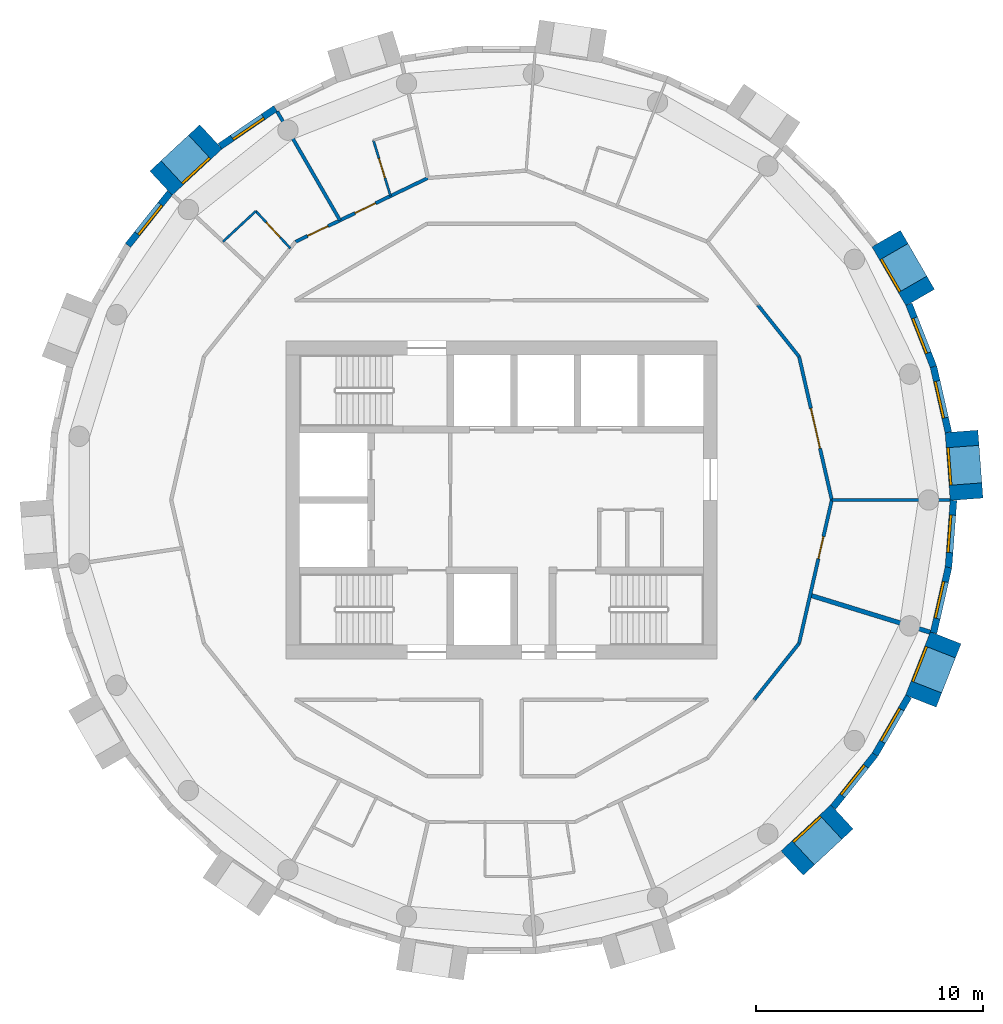
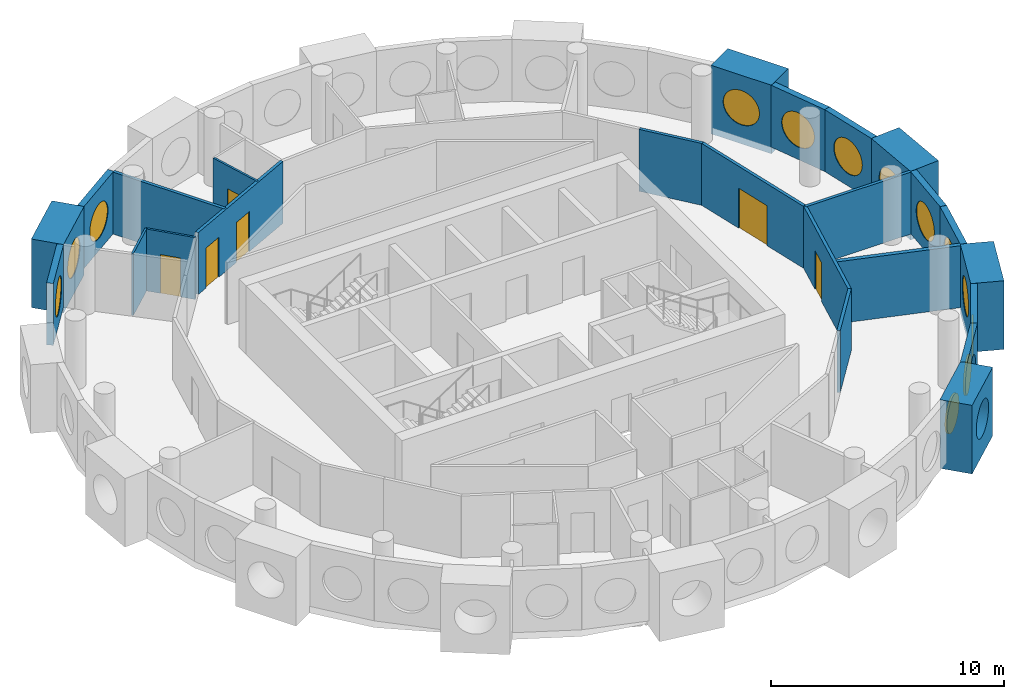
# One storey, part 10 of 13: 24 walls, 13 windows, 6 doors, 19 openings.
"""IFC4 building model written with IfcOpenShell, lengths in metres."""

from ifc_helpers import new_model, si_unit, direction, frame, frame_2d, origin, origin_2d, place, context, subcontext, project, spatial, rectangle, circle, extrude, material, layer, layer_set, type_object, element, fill, save


model = new_model("IFC4")

# Units and contexts
model_context = context("Model", 3, precision=1e-05, world=origin(), true_north=direction((0.0, 1.0)))
body_context = subcontext(model_context, "Body", "Model", "MODEL_VIEW")
ifc_project = project(units=[si_unit("LENGTHUNIT", "METRE"), si_unit("AREAUNIT", "SQUARE_METRE"), si_unit("VOLUMEUNIT", "CUBIC_METRE"), si_unit("PLANEANGLEUNIT", "RADIAN"), si_unit("MASSUNIT", "GRAM", prefix="KILO")], contexts=[model_context])

# Site, building, storey
site_placement = place(None, origin())
site = spatial("IfcSite", under=ifc_project, at=site_placement, CompositionType="ELEMENT")
building_placement = place(site_placement, origin())
building = spatial("IfcBuilding", under=site, at=building_placement, Name="Tracery Tower", CompositionType="ELEMENT")
storey_placement = place(building_placement, frame((0.0, 0.0, 316.199951171875)))
storey = spatial("IfcBuildingStorey", under=building, at=storey_placement, Name="L82", CompositionType="ELEMENT", Elevation=316.199951171875)

# Wall, opening, window
ifc_material_1 = material(Name="Precast concrete C50/60", Category="concrete")
ifc_layer_1 = layer(ifc_material_1, 1.449951171875)
ifc_layer_set_1 = layer_set([ifc_layer_1], Name="Deep-set bay unit 3000 x 3600, slab edge 350")
wall_type_1 = type_object("IfcWallType", Name="Deep-set bay unit 3000 x 3600, slab edge 350", PredefinedType="ELEMENTEDWALL", material=ifc_layer_set_1)
wall_1_placement = place(storey_placement, frame((20.49609375, 0.03173828125, -0.349853515625), z_axis=(0.0, 0.0, 1.0), x_axis=(-0.074785902127, 0.997199613339, 0.0)))
wall_1 = element("IfcWall", 1, at=wall_1_placement, inside=storey, type_object=wall_type_1, Name="Deep-set bay unit 1 at L82", PredefinedType="ELEMENTEDWALL", context=body_context, shape_type="SweptSolid", body=[
    extrude(rectangle(XDim=3.0, YDim=1.449951171875, at=frame_2d((1.5, 0.0))), origin(), (0.0, 0.0, 1.0), 3.599853515625),
])
opening_1_placement = place(wall_1_placement, frame((1.5, 0.0, 1.89990234375)))
opening_1 = element("IfcOpeningElement", 2, at=opening_1_placement, cuts=wall_1, Name="Opening WN1", PredefinedType="OPENING", context=body_context, shape_type="SweptSolid", body=[
    extrude(circle(Radius=0.9000244140625, at=origin_2d()), frame((0.0, 0.73486328125, 0.0), z_axis=(0.0, -1.0, 0.0), x_axis=(1.0, 0.0, 0.0)), (0.0, 0.0, 1.0), 1.469970703125),
])
ifc_material_2 = material(Name="Aluminium frame with tinted double glazing", Category="aluminium")
window_type = type_object("IfcWindowType", Name="Round window 1800", PartitioningType="SINGLE_PANEL", PredefinedType="WINDOW", material=ifc_material_2)
window_1_placement = place(opening_1_placement, origin())
window_1 = element("IfcWindow", 3, at=window_1_placement, inside=storey, type_object=window_type, Name="Round window 1 at L82", OverallHeight=1.800048828125, OverallWidth=1.800048828125, PartitioningType="SINGLE_PANEL", PredefinedType="WINDOW", context=body_context, shape_type="SweptSolid", body=[
    extrude(circle(Radius=0.9000244140625, at=origin_2d()), frame((0.0, 0.69482421875, 0.0), z_axis=(0.0, -1.0, 0.0), x_axis=(1.0, 0.0, 0.0)), (0.0, 0.0, 1.0), 0.10009765625),
])
fill(opening_1, window_1)

wall_2_placement = place(storey_placement, frame((18.452392578125, 8.92138671875, -0.349853515625), z_axis=(0.0, 0.0, 1.0), x_axis=(-0.499990139034, 0.866031096941, 0.0)))
wall_2 = element("IfcWall", 4, at=wall_2_placement, inside=storey, type_object=wall_type_1, Name="Deep-set bay unit 4 at L82", PredefinedType="ELEMENTEDWALL", context=body_context, shape_type="SweptSolid", body=[
    extrude(rectangle(XDim=3.0, YDim=1.449951171875, at=frame_2d((1.5, 0.0))), origin(), (0.0, 0.0, 1.0), 3.599853515625),
])
opening_2_placement = place(wall_2_placement, frame((1.5, 0.0, 1.89990234375)))
opening_2 = element("IfcOpeningElement", 5, at=opening_2_placement, cuts=wall_2, Name="Opening WN1", PredefinedType="OPENING", context=body_context, shape_type="SweptSolid", body=[
    extrude(circle(Radius=0.9000244140625, at=origin_2d()), frame((0.0, 0.73486328125, 0.0), z_axis=(0.0, -1.0, 0.0), x_axis=(1.0, 0.0, 0.0)), (0.0, 0.0, 1.0), 1.469970703125),
])
window_2_placement = place(opening_2_placement, origin())
window_2 = element("IfcWindow", 6, at=window_2_placement, inside=storey, type_object=window_type, Name="Round window 4 at L82", OverallHeight=1.800048828125, OverallWidth=1.800048828125, PartitioningType="SINGLE_PANEL", PredefinedType="WINDOW", context=body_context, shape_type="SweptSolid", body=[
    extrude(circle(Radius=0.9000244140625, at=origin_2d()), frame((0.0, 0.69482421875, 0.0), z_axis=(0.0, -1.0, 0.0), x_axis=(1.0, 0.0, 0.0)), (0.0, 0.0, 1.0), 0.10009765625),
])
fill(opening_2, window_2)

wall_3_placement = place(storey_placement, frame((-12.803955078125, 16.004638671875, -0.349853515625), z_axis=(0.0, 0.0, 1.0), x_axis=(-0.733022439167, -0.680204457261, 0.0)))
wall_3 = element("IfcWall", 7, at=wall_3_placement, inside=storey, type_object=wall_type_1, Name="Deep-set bay unit 16 at L82", PredefinedType="ELEMENTEDWALL", context=body_context, shape_type="SweptSolid", body=[
    extrude(rectangle(XDim=2.999755859375, YDim=1.449951171875, at=frame_2d((1.5, 0.0))), origin(), (0.0, 0.0, 1.0), 3.599853515625),
])
opening_3_placement = place(wall_3_placement, frame((1.5, 0.0, 1.89990234375)))
opening_3 = element("IfcOpeningElement", 8, at=opening_3_placement, cuts=wall_3, Name="Opening WN1", PredefinedType="OPENING", context=body_context, shape_type="SweptSolid", body=[
    extrude(circle(Radius=0.9000244140625, at=origin_2d()), frame((0.0, 0.73486328125, 0.0), z_axis=(0.0, -1.0, 0.0), x_axis=(1.0, 0.0, 0.0)), (0.0, 0.0, 1.0), 1.469970703125),
])
window_3_placement = place(opening_3_placement, origin())
window_3 = element("IfcWindow", 9, at=window_3_placement, inside=storey, type_object=window_type, Name="Round window 16 at L82", OverallHeight=1.800048828125, OverallWidth=1.800048828125, PartitioningType="SINGLE_PANEL", PredefinedType="WINDOW", context=body_context, shape_type="SweptSolid", body=[
    extrude(circle(Radius=0.9000244140625, at=origin_2d()), frame((0.0, 0.69482421875, 0.0), z_axis=(0.0, -1.0, 0.0), x_axis=(1.0, 0.0, 0.0)), (0.0, 0.0, 1.0), 0.10009765625),
])
fill(opening_3, window_3)

wall_4_placement = place(storey_placement, frame((12.803955078125, -16.004638671875, -0.349853515625), z_axis=(0.0, 0.0, 1.0), x_axis=(0.733022439167, 0.680204457261, 0.0)))
wall_4 = element("IfcWall", 10, at=wall_4_placement, inside=storey, type_object=wall_type_1, Name="Deep-set bay unit 37 at L82", PredefinedType="ELEMENTEDWALL", context=body_context, shape_type="SweptSolid", body=[
    extrude(rectangle(XDim=2.999755859375, YDim=1.449951171875, at=frame_2d((1.5, 0.0))), origin(), (0.0, 0.0, 1.0), 3.599853515625),
])
opening_4_placement = place(wall_4_placement, frame((1.5, 0.0, 1.89990234375)))
opening_4 = element("IfcOpeningElement", 11, at=opening_4_placement, cuts=wall_4, Name="Opening WN1", PredefinedType="OPENING", context=body_context, shape_type="SweptSolid", body=[
    extrude(circle(Radius=0.9000244140625, at=origin_2d()), frame((0.0, 0.73486328125, 0.0), z_axis=(0.0, -1.0, 0.0), x_axis=(1.0, 0.0, 0.0)), (0.0, 0.0, 1.0), 1.469970703125),
])
window_4_placement = place(opening_4_placement, origin())
window_4 = element("IfcWindow", 12, at=window_4_placement, inside=storey, type_object=window_type, Name="Round window 37 at L82", OverallHeight=1.800048828125, OverallWidth=1.800048828125, PartitioningType="SINGLE_PANEL", PredefinedType="WINDOW", context=body_context, shape_type="SweptSolid", body=[
    extrude(circle(Radius=0.9000244140625, at=origin_2d()), frame((0.0, 0.69482421875, 0.0), z_axis=(0.0, -1.0, 0.0), x_axis=(1.0, 0.0, 0.0)), (0.0, 0.0, 1.0), 0.10009765625),
])
fill(opening_4, window_4)

wall_5_placement = place(storey_placement, frame((18.47998046875, -8.8642578125, -0.349853515625), z_axis=(0.0, 0.0, 1.0), x_axis=(0.36537792632, 0.93085926485, 0.0)))
wall_5 = element("IfcWall", 13, at=wall_5_placement, inside=storey, type_object=wall_type_1, Name="Deep-set bay unit 40 at L82", PredefinedType="ELEMENTEDWALL", context=body_context, shape_type="SweptSolid", body=[
    extrude(rectangle(XDim=3.000244140625, YDim=1.449951171875, at=frame_2d((1.5, 0.0))), origin(), (0.0, 0.0, 1.0), 3.599853515625),
])
opening_5_placement = place(wall_5_placement, frame((1.5, 0.0, 1.89990234375)))
opening_5 = element("IfcOpeningElement", 14, at=opening_5_placement, cuts=wall_5, Name="Opening WN1", PredefinedType="OPENING", context=body_context, shape_type="SweptSolid", body=[
    extrude(circle(Radius=0.9000244140625, at=origin_2d()), frame((0.0, 0.73486328125, 0.0), z_axis=(0.0, -1.0, 0.0), x_axis=(1.0, 0.0, 0.0)), (0.0, 0.0, 1.0), 1.469970703125),
])
window_5_placement = place(opening_5_placement, origin())
window_5 = element("IfcWindow", 15, at=window_5_placement, inside=storey, type_object=window_type, Name="Round window 40 at L82", OverallHeight=1.800048828125, OverallWidth=1.800048828125, PartitioningType="SINGLE_PANEL", PredefinedType="WINDOW", context=body_context, shape_type="SweptSolid", body=[
    extrude(circle(Radius=0.9000244140625, at=origin_2d()), frame((0.0, 0.69482421875, 0.0), z_axis=(0.0, -1.0, 0.0), x_axis=(1.0, 0.0, 0.0)), (0.0, 0.0, 1.0), 0.10009765625),
])
fill(opening_5, window_5)

ifc_material_3 = material(Name="Precast concrete C50/60", Category="concrete")
ifc_layer_2 = layer(ifc_material_3, 0.300048828125)
ifc_layer_set_2 = layer_set([ifc_layer_2], Name="Facade panel 3000 x 3250")
wall_type_2 = type_object("IfcWallType", Name="Facade panel 3000 x 3250", PredefinedType="SOLIDWALL", material=ifc_layer_set_2)
wall_6_placement = place(storey_placement, frame((19.69580078125, 2.984130859375, 0.0), z_axis=(0.0, 0.0, 1.0), x_axis=(-0.222529389789, 0.974925982155, 0.0)))
wall_6 = element("IfcWall", 16, at=wall_6_placement, inside=storey, type_object=wall_type_2, Name="Facade panel 2 at L82", PredefinedType="SOLIDWALL", context=body_context, shape_type="SweptSolid", body=[
    extrude(rectangle(XDim=2.962158203125, YDim=0.300048828125, at=frame_2d((1.48095703125, 0.0))), origin(), (0.0, 0.0, 1.0), 3.25),
])
opening_6_placement = place(wall_6_placement, frame((1.48095703125, 0.0, 1.5498046875)))
opening_6 = element("IfcOpeningElement", 17, at=opening_6_placement, cuts=wall_6, Name="Opening WN1", PredefinedType="OPENING", context=body_context, shape_type="SweptSolid", body=[
    extrude(circle(Radius=0.9000244140625, at=origin_2d()), frame((0.0, 0.159912109375, 0.0), z_axis=(0.0, -1.0, 0.0), x_axis=(1.0, 0.0, 0.0)), (0.0, 0.0, 1.0), 0.320068359375),
])
window_6_placement = place(opening_6_placement, origin())
window_6 = element("IfcWindow", 18, at=window_6_placement, inside=storey, type_object=window_type, Name="Round window 2 at L82", OverallHeight=1.800048828125, OverallWidth=1.800048828125, PartitioningType="SINGLE_PANEL", PredefinedType="WINDOW", context=body_context, shape_type="SweptSolid", body=[
    extrude(circle(Radius=0.9000244140625, at=origin_2d()), frame((0.0, 0.1201171875, 0.0), z_axis=(0.0, -1.0, 0.0), x_axis=(1.0, 0.0, 0.0)), (0.0, 0.0, 1.0), 0.10009765625),
])
fill(opening_6, window_6)

wall_7_placement = place(storey_placement, frame((19.03662109375, 5.8720703125, 0.0), z_axis=(0.0, 0.0, 1.0), x_axis=(-0.36530043032, 0.930889679612, 0.0)))
wall_7 = element("IfcWall", 19, at=wall_7_placement, inside=storey, type_object=wall_type_2, Name="Facade panel 3 at L82", PredefinedType="SOLIDWALL", context=body_context, shape_type="SweptSolid", body=[
    extrude(rectangle(XDim=2.9619140625, YDim=0.300048828125, at=frame_2d((1.48095703125, 0.0))), origin(), (0.0, 0.0, 1.0), 3.25),
])
opening_7_placement = place(wall_7_placement, frame((1.48095703125, 0.0, 1.5498046875)))
opening_7 = element("IfcOpeningElement", 20, at=opening_7_placement, cuts=wall_7, Name="Opening WN1", PredefinedType="OPENING", context=body_context, shape_type="SweptSolid", body=[
    extrude(circle(Radius=0.9000244140625, at=origin_2d()), frame((0.0, 0.159912109375, 0.0), z_axis=(0.0, -1.0, 0.0), x_axis=(1.0, 0.0, 0.0)), (0.0, 0.0, 1.0), 0.320068359375),
])
window_7_placement = place(opening_7_placement, origin())
window_7 = element("IfcWindow", 21, at=window_7_placement, inside=storey, type_object=window_type, Name="Round window 3 at L82", OverallHeight=1.800048828125, OverallWidth=1.800048828125, PartitioningType="SINGLE_PANEL", PredefinedType="WINDOW", context=body_context, shape_type="SweptSolid", body=[
    extrude(circle(Radius=0.9000244140625, at=origin_2d()), frame((0.0, 0.1201171875, 0.0), z_axis=(0.0, -1.0, 0.0), x_axis=(1.0, 0.0, 0.0)), (0.0, 0.0, 1.0), 0.10009765625),
])
fill(opening_7, window_7)

wall_8_placement = place(storey_placement, frame((-9.9609375, 17.252685546875, 0.0), z_axis=(0.0, 0.0, 1.0), x_axis=(-0.826236061068, -0.563324037646, 0.0)))
wall_8 = element("IfcWall", 22, at=wall_8_placement, inside=storey, type_object=wall_type_2, Name="Facade panel 15 at L82", PredefinedType="SOLIDWALL", context=body_context, shape_type="SweptSolid", body=[
    extrude(rectangle(XDim=2.962158203125, YDim=0.300048828125, at=frame_2d((1.48095703125, 0.0))), origin(), (0.0, 0.0, 1.0), 3.25),
])
opening_8_placement = place(wall_8_placement, frame((1.48095703125, 0.0, 1.5498046875)))
opening_8 = element("IfcOpeningElement", 23, at=opening_8_placement, cuts=wall_8, Name="Opening WN1", PredefinedType="OPENING", context=body_context, shape_type="SweptSolid", body=[
    extrude(circle(Radius=0.9000244140625, at=origin_2d()), frame((0.0, 0.159912109375, 0.0), z_axis=(0.0, -1.0, 0.0), x_axis=(1.0, 0.0, 0.0)), (0.0, 0.0, 1.0), 0.320068359375),
])
window_8_placement = place(opening_8_placement, origin())
window_8 = element("IfcWindow", 24, at=window_8_placement, inside=storey, type_object=window_type, Name="Round window 15 at L82", OverallHeight=1.800048828125, OverallWidth=1.800048828125, PartitioningType="SINGLE_PANEL", PredefinedType="WINDOW", context=body_context, shape_type="SweptSolid", body=[
    extrude(circle(Radius=0.9000244140625, at=origin_2d()), frame((0.0, 0.1201171875, 0.0), z_axis=(0.0, -1.0, 0.0), x_axis=(1.0, 0.0, 0.0)), (0.0, 0.0, 1.0), 0.10009765625),
])
fill(opening_8, window_8)

wall_9_placement = place(storey_placement, frame((-14.61328125, 13.538330078125, 0.0), z_axis=(0.0, 0.0, 1.0), x_axis=(-0.623498236992, -0.781824755599, 0.0)))
wall_9 = element("IfcWall", 25, at=wall_9_placement, inside=storey, type_object=wall_type_2, Name="Facade panel 17 at L82", PredefinedType="SOLIDWALL", context=body_context, shape_type="SweptSolid", body=[
    extrude(rectangle(XDim=2.962158203125, YDim=0.300048828125, at=frame_2d((1.48095703125, 0.0))), origin(), (0.0, 0.0, 1.0), 3.25),
])
opening_9_placement = place(wall_9_placement, frame((1.48095703125, 0.0, 1.5498046875)))
opening_9 = element("IfcOpeningElement", 26, at=opening_9_placement, cuts=wall_9, Name="Opening WN1", PredefinedType="OPENING", context=body_context, shape_type="SweptSolid", body=[
    extrude(circle(Radius=0.9000244140625, at=origin_2d()), frame((0.0, 0.159912109375, 0.0), z_axis=(0.0, -1.0, 0.0), x_axis=(1.0, 0.0, 0.0)), (0.0, 0.0, 1.0), 0.320068359375),
])
window_9_placement = place(opening_9_placement, origin())
window_9 = element("IfcWindow", 27, at=window_9_placement, inside=storey, type_object=window_type, Name="Round window 17 at L82", OverallHeight=1.800048828125, OverallWidth=1.800048828125, PartitioningType="SINGLE_PANEL", PredefinedType="WINDOW", context=body_context, shape_type="SweptSolid", body=[
    extrude(circle(Radius=0.9000244140625, at=origin_2d()), frame((0.0, 0.1201171875, 0.0), z_axis=(0.0, -1.0, 0.0), x_axis=(1.0, 0.0, 0.0)), (0.0, 0.0, 1.0), 0.10009765625),
])
fill(opening_9, window_9)

wall_10_placement = place(storey_placement, frame((14.61328125, -13.538330078125, 0.0), z_axis=(0.0, 0.0, 1.0), x_axis=(0.623498236992, 0.781824755599, 0.0)))
wall_10 = element("IfcWall", 28, at=wall_10_placement, inside=storey, type_object=wall_type_2, Name="Facade panel 38 at L82", PredefinedType="SOLIDWALL", context=body_context, shape_type="SweptSolid", body=[
    extrude(rectangle(XDim=2.962158203125, YDim=0.300048828125, at=frame_2d((1.48095703125, 0.0))), origin(), (0.0, 0.0, 1.0), 3.25),
])
opening_10_placement = place(wall_10_placement, frame((1.48095703125, 0.0, 1.5498046875)))
opening_10 = element("IfcOpeningElement", 29, at=opening_10_placement, cuts=wall_10, Name="Opening WN1", PredefinedType="OPENING", context=body_context, shape_type="SweptSolid", body=[
    extrude(circle(Radius=0.9000244140625, at=origin_2d()), frame((0.0, 0.159912109375, 0.0), z_axis=(0.0, -1.0, 0.0), x_axis=(1.0, 0.0, 0.0)), (0.0, 0.0, 1.0), 0.320068359375),
])
window_10_placement = place(opening_10_placement, origin())
window_10 = element("IfcWindow", 30, at=window_10_placement, inside=storey, type_object=window_type, Name="Round window 38 at L82", OverallHeight=1.800048828125, OverallWidth=1.800048828125, PartitioningType="SINGLE_PANEL", PredefinedType="WINDOW", context=body_context, shape_type="SweptSolid", body=[
    extrude(circle(Radius=0.9000244140625, at=origin_2d()), frame((0.0, 0.1201171875, 0.0), z_axis=(0.0, -1.0, 0.0), x_axis=(1.0, 0.0, 0.0)), (0.0, 0.0, 1.0), 0.10009765625),
])
fill(opening_10, window_10)

wall_11_placement = place(storey_placement, frame((16.460205078125, -11.222412109375, 0.0), z_axis=(0.0, 0.0, 1.0), x_axis=(0.499950756475, 0.86605383268, 0.0)))
wall_11 = element("IfcWall", 31, at=wall_11_placement, inside=storey, type_object=wall_type_2, Name="Facade panel 39 at L82", PredefinedType="SOLIDWALL", context=body_context, shape_type="SweptSolid", body=[
    extrude(rectangle(XDim=2.962158203125, YDim=0.300048828125, at=frame_2d((1.48095703125, 0.0))), origin(), (0.0, 0.0, 1.0), 3.25),
])
opening_11_placement = place(wall_11_placement, frame((1.48095703125, 0.0, 1.5498046875)))
opening_11 = element("IfcOpeningElement", 32, at=opening_11_placement, cuts=wall_11, Name="Opening WN1", PredefinedType="OPENING", context=body_context, shape_type="SweptSolid", body=[
    extrude(circle(Radius=0.9000244140625, at=origin_2d()), frame((0.0, 0.159912109375, 0.0), z_axis=(0.0, -1.0, 0.0), x_axis=(1.0, 0.0, 0.0)), (0.0, 0.0, 1.0), 0.320068359375),
])
window_11_placement = place(opening_11_placement, origin())
window_11 = element("IfcWindow", 33, at=window_11_placement, inside=storey, type_object=window_type, Name="Round window 39 at L82", OverallHeight=1.800048828125, OverallWidth=1.800048828125, PartitioningType="SINGLE_PANEL", PredefinedType="WINDOW", context=body_context, shape_type="SweptSolid", body=[
    extrude(circle(Radius=0.9000244140625, at=origin_2d()), frame((0.0, 0.1201171875, 0.0), z_axis=(0.0, -1.0, 0.0), x_axis=(1.0, 0.0, 0.0)), (0.0, 0.0, 1.0), 0.10009765625),
])
fill(opening_11, window_11)

wall_12_placement = place(storey_placement, frame((19.0400390625, -5.857177734375, 0.0), z_axis=(0.0, 0.0, 1.0), x_axis=(0.222529389789, 0.974925982155, 0.0)))
wall_12 = element("IfcWall", 34, at=wall_12_placement, inside=storey, type_object=wall_type_2, Name="Facade panel 41 at L82", PredefinedType="SOLIDWALL", context=body_context, shape_type="SweptSolid", body=[
    extrude(rectangle(XDim=2.962158203125, YDim=0.300048828125, at=frame_2d((1.48095703125, 0.0))), origin(), (0.0, 0.0, 1.0), 3.25),
])
opening_12_placement = place(wall_12_placement, frame((1.48095703125, 0.0, 1.5498046875)))
opening_12 = element("IfcOpeningElement", 35, at=opening_12_placement, cuts=wall_12, Name="Opening WN1", PredefinedType="OPENING", context=body_context, shape_type="SweptSolid", body=[
    extrude(circle(Radius=0.9000244140625, at=origin_2d()), frame((0.0, 0.159912109375, 0.0), z_axis=(0.0, -1.0, 0.0), x_axis=(1.0, 0.0, 0.0)), (0.0, 0.0, 1.0), 0.320068359375),
])
window_12_placement = place(opening_12_placement, origin())
window_12 = element("IfcWindow", 36, at=window_12_placement, inside=storey, type_object=window_type, Name="Round window 41 at L82", OverallHeight=1.800048828125, OverallWidth=1.800048828125, PartitioningType="SINGLE_PANEL", PredefinedType="WINDOW", context=body_context, shape_type="SweptSolid", body=[
    extrude(circle(Radius=0.9000244140625, at=origin_2d()), frame((0.0, 0.1201171875, 0.0), z_axis=(0.0, -1.0, 0.0), x_axis=(1.0, 0.0, 0.0)), (0.0, 0.0, 1.0), 0.10009765625),
])
fill(opening_12, window_12)

wall_13_placement = place(storey_placement, frame((19.69921875, -2.96923828125, 0.0), z_axis=(0.0, 0.0, 1.0), x_axis=(0.07474897196, 0.997202382263, 0.0)))
wall_13 = element("IfcWall", 37, at=wall_13_placement, inside=storey, type_object=wall_type_2, Name="Facade panel 42 at L82", PredefinedType="SOLIDWALL", context=body_context, shape_type="SweptSolid", body=[
    extrude(rectangle(XDim=2.96240234375, YDim=0.300048828125, at=frame_2d((1.481201171875, 0.0))), origin(), (0.0, 0.0, 1.0), 3.25),
])
opening_13_placement = place(wall_13_placement, frame((1.48095703125, 0.0, 1.5498046875)))
opening_13 = element("IfcOpeningElement", 38, at=opening_13_placement, cuts=wall_13, Name="Opening WN1", PredefinedType="OPENING", context=body_context, shape_type="SweptSolid", body=[
    extrude(circle(Radius=0.9000244140625, at=origin_2d()), frame((0.0, 0.159912109375, 0.0), z_axis=(0.0, -1.0, 0.0), x_axis=(1.0, 0.0, 0.0)), (0.0, 0.0, 1.0), 0.320068359375),
])
window_13_placement = place(opening_13_placement, origin())
window_13 = element("IfcWindow", 39, at=window_13_placement, inside=storey, type_object=window_type, Name="Round window 42 at L82", OverallHeight=1.800048828125, OverallWidth=1.800048828125, PartitioningType="SINGLE_PANEL", PredefinedType="WINDOW", context=body_context, shape_type="SweptSolid", body=[
    extrude(circle(Radius=0.9000244140625, at=origin_2d()), frame((0.0, 0.1201171875, 0.0), z_axis=(0.0, -1.0, 0.0), x_axis=(1.0, 0.0, 0.0)), (0.0, 0.0, 1.0), 0.10009765625),
])
fill(opening_13, window_13)

# Wall, opening, door
ifc_material_4 = material(Name="Plasterboard on steel studs", Category="steel")
ifc_layer_3 = layer(ifc_material_4, 0.10009765625)
ifc_layer_set_3 = layer_set([ifc_layer_3], Name="Partition 100 wet wall")
wall_type_3 = type_object("IfcWallType", Name="Partition 100 wet wall", PredefinedType="PARTITIONING", material=ifc_layer_set_3)
wall_14_placement = place(storey_placement, frame((-5.64501953125, 15.84912109375, 0.0), z_axis=(0.0, 0.0, 1.0), x_axis=(0.294654076104, -0.955603984627, 0.0)))
wall_14 = element("IfcWall", 40, at=wall_14_placement, inside=storey, type_object=wall_type_3, Name="Wet wall RC9-052", PredefinedType="PARTITIONING", context=body_context, shape_type="SweptSolid", body=[
    extrude(rectangle(XDim=2.566162109375, YDim=0.10009765625, at=frame_2d((1.283203125, 0.0))), origin(), (0.0, 0.0, 1.0), 3.25),
])
opening_14_placement = place(wall_14_placement, frame((0.8330078125, 0.0, 0.0)))
opening_14 = element("IfcOpeningElement", 41, at=opening_14_placement, cuts=wall_14, Name="Opening RC9-09", PredefinedType="OPENING", context=body_context, shape_type="SweptSolid", body=[
    extrude(rectangle(XDim=0.89990234375, YDim=2.0400390625, at=frame_2d((0.449951171875, 1.02001953125))), frame((0.0, 0.050048828125, 0.0), z_axis=(0.0, -1.0, 0.0), x_axis=(1.0, 0.0, 0.0)), (0.0, 0.0, 1.0), 0.10009765625),
])
ifc_material_5 = material(Name="Timber door leaf", Category="wood")
door_type_1 = type_object("IfcDoorType", Name="Door en-suite 900", OperationType="NOTDEFINED", PredefinedType="DOOR", material=ifc_material_5)
door_1_placement = place(opening_14_placement, origin())
door_1 = element("IfcDoor", 42, at=door_1_placement, inside=storey, type_object=door_type_1, Name="En-suite door RC9-09", OperationType="SINGLE_SWING_RIGHT", OverallHeight=2.0400390625, OverallWidth=0.89990234375, PredefinedType="DOOR", context=body_context, shape_type="SweptSolid", body=[
    extrude(rectangle(XDim=0.89990234375, YDim=2.0400390625, at=frame_2d((0.449951171875, 1.02001953125))), frame((0.0, 0.02490234375, 0.0), z_axis=(0.0, -1.0, 0.0), x_axis=(1.0, 0.0, 0.0)), (0.0, 0.0, 1.0), 0.050048828125),
])
fill(opening_14, door_1)

wall_15_placement = place(storey_placement, frame((-10.825927734375, 12.72998046875, 0.0), z_axis=(0.0, 0.0, 1.0), x_axis=(0.680228963773, -0.732999697711, 0.0)))
wall_15 = element("IfcWall", 43, at=wall_15_placement, inside=storey, type_object=wall_type_3, Name="Wet wall RC9-054", PredefinedType="PARTITIONING", context=body_context, shape_type="SweptSolid", body=[
    extrude(rectangle(XDim=2.234619140625, YDim=0.10009765625, at=frame_2d((1.1171875, 0.0))), origin(), (0.0, 0.0, 1.0), 3.25),
])
opening_15_placement = place(wall_15_placement, frame((0.66748046875, 0.0, 0.0)))
opening_15 = element("IfcOpeningElement", 44, at=opening_15_placement, cuts=wall_15, Name="Opening RC9-11", PredefinedType="OPENING", context=body_context, shape_type="SweptSolid", body=[
    extrude(rectangle(XDim=0.89990234375, YDim=2.0400390625, at=frame_2d((0.449951171875, 1.02001953125))), frame((0.0, 0.050048828125, 0.0), z_axis=(0.0, -1.0, 0.0), x_axis=(1.0, 0.0, 0.0)), (0.0, 0.0, 1.0), 0.10009765625),
])
door_2_placement = place(opening_15_placement, origin())
door_2 = element("IfcDoor", 45, at=door_2_placement, inside=storey, type_object=door_type_1, Name="En-suite door RC9-11", OperationType="SINGLE_SWING_LEFT", OverallHeight=2.0400390625, OverallWidth=0.89990234375, PredefinedType="DOOR", context=body_context, shape_type="SweptSolid", body=[
    extrude(rectangle(XDim=0.89990234375, YDim=2.0400390625, at=frame_2d((0.449951171875, 1.02001953125))), frame((0.0, 0.02490234375, 0.0), z_axis=(0.0, -1.0, 0.0), x_axis=(1.0, 0.0, 0.0)), (0.0, 0.0, 1.0), 0.050048828125),
])
fill(opening_15, door_2)

# Walls
wall_16_placement = place(storey_placement, frame((-12.27294921875, 11.386962890625, 0.0), z_axis=(0.0, 0.0, 1.0), x_axis=(0.732956436026, 0.680275578636, 0.0)))
element("IfcWall", 46, at=wall_16_placement, inside=storey, type_object=wall_type_3, Name="Wet wall RC9-055", PredefinedType="PARTITIONING", context=body_context, shape_type="SweptSolid", body=[
    extrude(rectangle(XDim=1.97412109375, YDim=0.10009765625, at=frame_2d((0.987060546875, 0.0))), origin(), (0.0, 0.0, 1.0), 3.25),
])
ifc_material_6 = material(Name="Plasterboard on steel studs", Category="steel")
ifc_layer_4 = layer(ifc_material_6, 0.14990234375)
ifc_layer_set_4 = layer_set([ifc_layer_4], Name="Partition 150 acoustic unit wall")
wall_type_4 = type_object("IfcWallType", Name="Partition 150 acoustic unit wall", PredefinedType="PARTITIONING", material=ifc_layer_set_4)
wall_17_placement = place(storey_placement, frame((14.556884765625, 0.0, 0.0), z_axis=(0.0, 0.0, 1.0), x_axis=(1.0, 0.0, 0.0)))
element("IfcWall", 47, at=wall_17_placement, inside=storey, type_object=wall_type_4, Name="Unit wall RC9-044", PredefinedType="PARTITIONING", context=body_context, shape_type="SweptSolid", body=[
    extrude(rectangle(XDim=5.214111328125, YDim=0.14990234375, at=frame_2d((2.60693359375, 0.0))), origin(), (0.0, 0.0, 1.0), 3.25),
])
wall_18_placement = place(storey_placement, frame((-9.885986328125, 17.1220703125, 0.0), z_axis=(0.0, 0.0, 1.0), x_axis=(0.500054359786, -0.865994016873, 0.0)))
element("IfcWall", 48, at=wall_18_placement, inside=storey, type_object=wall_type_4, Name="Unit wall RC9-053", PredefinedType="PARTITIONING", context=body_context, shape_type="SweptSolid", body=[
    extrude(rectangle(XDim=5.53955078125, YDim=0.14990234375, at=frame_2d((2.769775390625, 0.0))), origin(), (0.0, 0.0, 1.0), 3.25),
])
ifc_material_7 = material(Name="Plasterboard on steel studs", Category="steel")
ifc_layer_5 = layer(ifc_material_7, 0.14990234375)
ifc_layer_set_5 = layer_set([ifc_layer_5], Name="Partition 150 corridor wall")
wall_type_5 = type_object("IfcWallType", Name="Partition 150 corridor wall", PredefinedType="PARTITIONING", material=ifc_layer_set_5)
wall_19_placement = place(storey_placement, frame((11.300048828125, 8.592041015625, 0.0), z_axis=(0.0, 0.0, 1.0), x_axis=(0.623446514299, -0.781866001185, 0.0)))
element("IfcWall", 49, at=wall_19_placement, inside=storey, type_object=wall_type_5, Name="Corridor wall RC9-020", PredefinedType="PARTITIONING", context=body_context, shape_type="SweptSolid", body=[
    extrude(rectangle(XDim=2.9111328125, YDim=0.14990234375, at=frame_2d((1.45556640625, 0.0))), origin(), (0.0, 0.0, 1.0), 3.25),
])

# Wall, opening, door
wall_20_placement = place(storey_placement, frame((13.114990234375, 6.31591796875, 0.0), z_axis=(0.0, 0.0, 1.0), x_axis=(0.222568978642, -0.97491694505, 0.0)))
wall_20 = element("IfcWall", 50, at=wall_20_placement, inside=storey, type_object=wall_type_5, Name="Corridor wall RC9-021", PredefinedType="PARTITIONING", context=body_context, shape_type="SweptSolid", body=[
    extrude(rectangle(XDim=6.478515625, YDim=0.14990234375, at=frame_2d((3.2392578125, 0.0))), origin(), (0.0, 0.0, 1.0), 3.25),
])
opening_16_placement = place(wall_20_placement, frame((2.339111328125, 0.0, 0.0)))
opening_16 = element("IfcOpeningElement", 51, at=opening_16_placement, cuts=wall_20, Name="Opening RC9-04", PredefinedType="OPENING", context=body_context, shape_type="SweptSolid", body=[
    extrude(rectangle(XDim=1.800048828125, YDim=2.10009765625, at=frame_2d((0.89990234375, 1.050048828125))), frame((0.0, 0.074951171875, 0.0), z_axis=(0.0, -1.0, 0.0), x_axis=(1.0, 0.0, 0.0)), (0.0, 0.0, 1.0), 0.14990234375),
])
ifc_material_8 = material(Name="Timber door leaf", Category="wood")
door_type_2 = type_object("IfcDoorType", Name="Door double lounge 1800", OperationType="NOTDEFINED", PredefinedType="DOOR", material=ifc_material_8)
door_3_placement = place(opening_16_placement, origin())
door_3 = element("IfcDoor", 52, at=door_3_placement, inside=storey, type_object=door_type_2, Name="Double lounge door RC9-04", OperationType="DOUBLE_DOOR_SINGLE_SWING", OverallHeight=2.10009765625, OverallWidth=1.800048828125, PredefinedType="DOOR", context=body_context, shape_type="SweptSolid", body=[
    extrude(rectangle(XDim=1.800048828125, YDim=2.10009765625, at=frame_2d((0.89990234375, 1.050048828125))), frame((0.0, 0.02490234375, 0.0), z_axis=(0.0, -1.0, 0.0), x_axis=(1.0, 0.0, 0.0)), (0.0, 0.0, 1.0), 0.050048828125),
])
fill(opening_16, door_3)

wall_21_placement = place(storey_placement, frame((13.114990234375, -6.31591796875, 0.0), z_axis=(0.0, 0.0, 1.0), x_axis=(0.222533159771, 0.974925121639, 0.0)))
wall_21 = element("IfcWall", 53, at=wall_21_placement, inside=storey, type_object=wall_type_5, Name="Corridor wall RC9-022", PredefinedType="PARTITIONING", context=body_context, shape_type="SweptSolid", body=[
    extrude(rectangle(XDim=6.478271484375, YDim=0.14990234375, at=frame_2d((3.2392578125, 0.0))), origin(), (0.0, 0.0, 1.0), 3.25),
])
opening_17_placement = place(wall_21_placement, frame((3.824462890625, 0.0, 0.0)))
opening_17 = element("IfcOpeningElement", 54, at=opening_17_placement, cuts=wall_21, Name="Opening RC9-22", PredefinedType="OPENING", context=body_context, shape_type="SweptSolid", body=[
    extrude(rectangle(XDim=1.0, YDim=2.0400390625, at=frame_2d((0.5, 1.02001953125))), frame((0.0, 0.074951171875, 0.0), z_axis=(0.0, -1.0, 0.0), x_axis=(1.0, 0.0, 0.0)), (0.0, 0.0, 1.0), 0.14990234375),
])
ifc_material_9 = material(Name="Timber door leaf", Category="wood")
door_type_3 = type_object("IfcDoorType", Name="Door communal room 1000", OperationType="NOTDEFINED", PredefinedType="DOOR", material=ifc_material_9)
door_4_placement = place(opening_17_placement, origin())
door_4 = element("IfcDoor", 55, at=door_4_placement, inside=storey, type_object=door_type_3, Name="Communal room door RC9-22", OperationType="SINGLE_SWING_RIGHT", OverallHeight=2.0400390625, OverallWidth=1.0, PredefinedType="DOOR", context=body_context, shape_type="SweptSolid", body=[
    extrude(rectangle(XDim=1.0, YDim=2.0400390625, at=frame_2d((0.5, 1.02001953125))), frame((0.0, 0.02490234375, 0.0), z_axis=(0.0, -1.0, 0.0), x_axis=(1.0, 0.0, 0.0)), (0.0, 0.0, 1.0), 0.050048828125),
])
fill(opening_17, door_4)

# Wall
wall_22_placement = place(storey_placement, frame((11.134033203125, -8.800048828125, 0.0), z_axis=(0.0, 0.0, 1.0), x_axis=(0.623476099415, 0.781842409606, 0.0)))
element("IfcWall", 56, at=wall_22_placement, inside=storey, type_object=wall_type_5, Name="Corridor wall RC9-023", PredefinedType="PARTITIONING", context=body_context, shape_type="SweptSolid", body=[
    extrude(rectangle(XDim=3.17724609375, YDim=0.14990234375, at=frame_2d((1.588623046875, 0.0))), origin(), (0.0, 0.0, 1.0), 3.25),
])

# Wall, openings, doors
wall_23_placement = place(storey_placement, frame((-9.07568359375, 11.380615234375, 0.0), z_axis=(0.0, 0.0, 1.0), x_axis=(0.900939467372, 0.433944784657, 0.0)))
wall_23 = element("IfcWall", 57, at=wall_23_placement, inside=storey, type_object=wall_type_5, Name="Corridor wall RC9-029", PredefinedType="PARTITIONING", context=body_context, shape_type="SweptSolid", body=[
    extrude(rectangle(XDim=6.478515625, YDim=0.14990234375, at=frame_2d((3.2392578125, 0.0))), origin(), (0.0, 0.0, 1.0), 3.25),
])
opening_18_placement = place(wall_23_placement, frame((2.911865234375, 0.0, 0.0)))
opening_18 = element("IfcOpeningElement", 58, at=opening_18_placement, cuts=wall_23, Name="Opening RC9-10", PredefinedType="OPENING", context=body_context, shape_type="SweptSolid", body=[
    extrude(rectangle(XDim=1.0, YDim=2.10009765625, at=frame_2d((0.5, 1.050048828125))), frame((0.0, 0.074951171875, 0.0), z_axis=(0.0, -1.0, 0.0), x_axis=(1.0, 0.0, 0.0)), (0.0, 0.0, 1.0), 0.14990234375),
])
opening_19_placement = place(wall_23_placement, frame((0.590087890625, 0.0, 0.0)))
opening_19 = element("IfcOpeningElement", 59, at=opening_19_placement, cuts=wall_23, Name="Opening RC9-12", PredefinedType="OPENING", context=body_context, shape_type="SweptSolid", body=[
    extrude(rectangle(XDim=1.0, YDim=2.10009765625, at=frame_2d((0.5, 1.050048828125))), frame((0.0, 0.074951171875, 0.0), z_axis=(0.0, -1.0, 0.0), x_axis=(1.0, 0.0, 0.0)), (0.0, 0.0, 1.0), 0.14990234375),
])
ifc_material_10 = material(Name="Timber door leaf", Category="wood")
door_type_4 = type_object("IfcDoorType", Name="Door unit entrance 1000", OperationType="NOTDEFINED", PredefinedType="DOOR", material=ifc_material_10)
door_5_placement = place(opening_18_placement, origin())
door_5 = element("IfcDoor", 60, at=door_5_placement, inside=storey, type_object=door_type_4, Name="Unit entrance door RC9-10", OperationType="SINGLE_SWING_RIGHT", OverallHeight=2.10009765625, OverallWidth=1.0, PredefinedType="DOOR", context=body_context, shape_type="SweptSolid", body=[
    extrude(rectangle(XDim=1.0, YDim=2.10009765625, at=frame_2d((0.5, 1.050048828125))), frame((0.0, 0.02490234375, 0.0), z_axis=(0.0, -1.0, 0.0), x_axis=(1.0, 0.0, 0.0)), (0.0, 0.0, 1.0), 0.050048828125),
])
fill(opening_18, door_5)
door_6_placement = place(opening_19_placement, origin())
door_6 = element("IfcDoor", 61, at=door_6_placement, inside=storey, type_object=door_type_4, Name="Unit entrance door RC9-12", OperationType="SINGLE_SWING_RIGHT", OverallHeight=2.10009765625, OverallWidth=1.0, PredefinedType="DOOR", context=body_context, shape_type="SweptSolid", body=[
    extrude(rectangle(XDim=1.0, YDim=2.10009765625, at=frame_2d((0.5, 1.050048828125))), frame((0.0, 0.02490234375, 0.0), z_axis=(0.0, -1.0, 0.0), x_axis=(1.0, 0.0, 0.0)), (0.0, 0.0, 1.0), 0.050048828125),
])
fill(opening_19, door_6)

# Wall
ifc_material_11 = material(Name="Plasterboard on steel studs", Category="steel")
ifc_layer_6 = layer(ifc_material_11, 0.199951171875)
ifc_layer_set_6 = layer_set([ifc_layer_6], Name="Partition 200 compartment wall")
wall_type_6 = type_object("IfcWallType", Name="Partition 200 compartment wall", PredefinedType="PARTITIONING", material=ifc_layer_set_6)
wall_24_placement = place(storey_placement, frame((13.59912109375, -4.195068359375, 0.0), z_axis=(0.0, 0.0, 1.0), x_axis=(0.955580602693, -0.294729896274, 0.0)))
element("IfcWall", 62, at=wall_24_placement, inside=storey, type_object=wall_type_6, Name="Compartment wall RC9-069", PredefinedType="PARTITIONING", context=body_context, shape_type="SweptSolid", body=[
    extrude(rectangle(XDim=5.5400390625, YDim=0.199951171875, at=frame_2d((2.77001953125, 0.0))), origin(), (0.0, 0.0, 1.0), 3.25),
])

save(model, "model.ifc")
